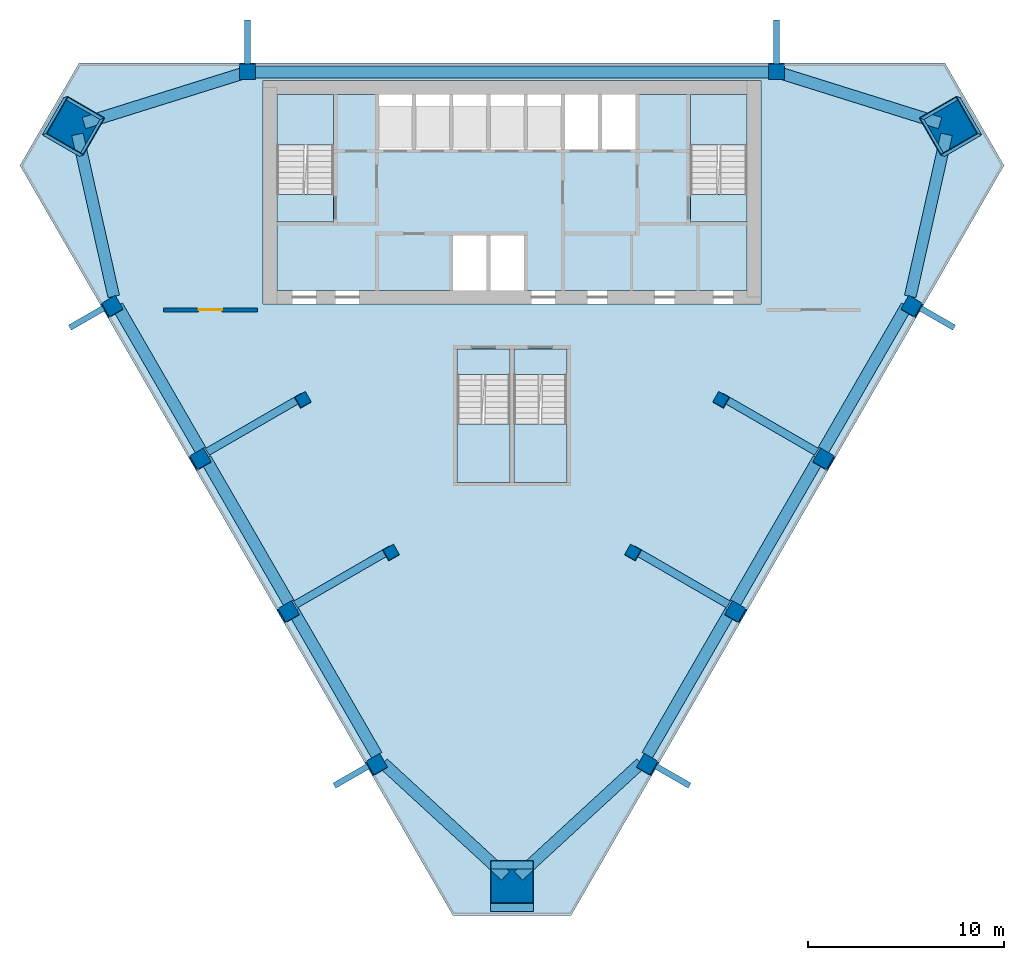
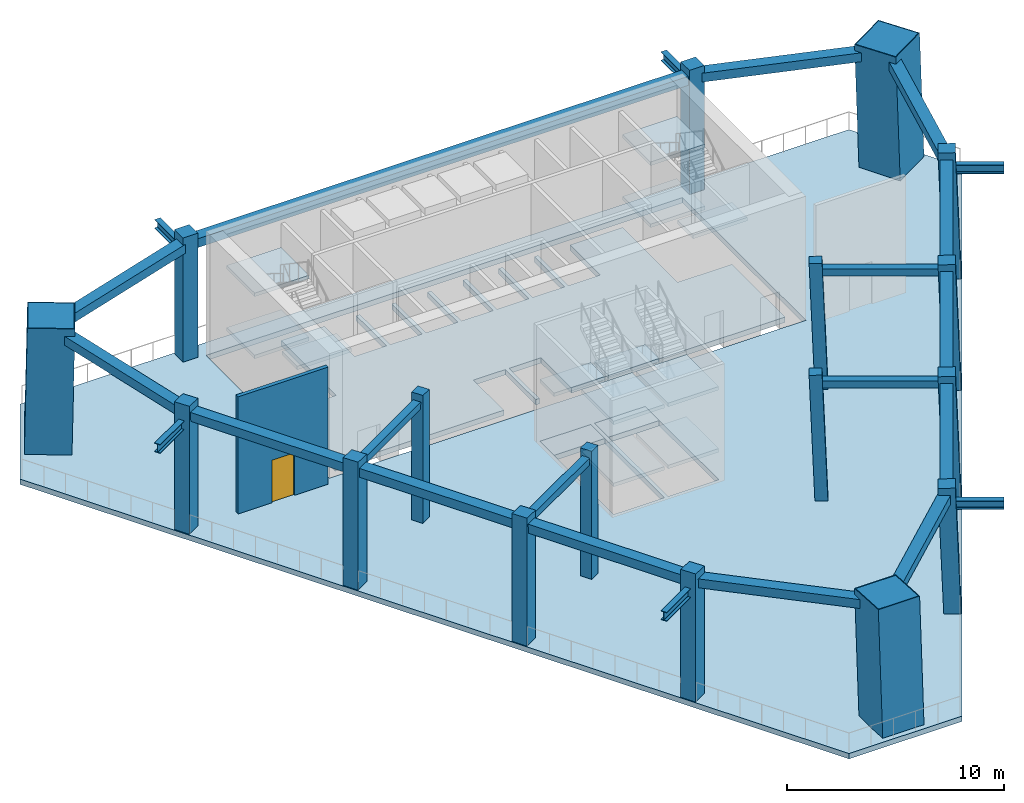
# One storey, part 1 of 6: 17 beams, 17 columns, 16 slabs, 9 members, 1 door, 1 wall, 1 opening, 4 elements without a shape of their own.
"""IFC4 building model written with IfcOpenShell, lengths in metres."""

from ifc_helpers import new_model, si_unit, direction, frame, frame_2d, origin, origin_2d, place, context, subcontext, project, spatial, polyline, rectangle, hollow_rectangle, i_section, outline, extrude, material, layer, layer_set, material_profile, profile_set, type_object, element, fill, aggregate, save


model = new_model("IFC4")

# Units and contexts
model_context = context("Model", 3, precision=1e-05, world=origin(), true_north=direction((0.0, 1.0)))
body_context = subcontext(model_context, "Body", "Model", "MODEL_VIEW")
ifc_project = project(units=[si_unit("LENGTHUNIT", "METRE"), si_unit("AREAUNIT", "SQUARE_METRE"), si_unit("VOLUMEUNIT", "CUBIC_METRE"), si_unit("PLANEANGLEUNIT", "RADIAN"), si_unit("MASSUNIT", "GRAM", prefix="KILO")], contexts=[model_context])

# Site, building, storey
site_placement = place(None, origin())
site = spatial("IfcSite", under=ifc_project, at=site_placement, CompositionType="ELEMENT")
building_placement = place(site_placement, origin())
building = spatial("IfcBuilding", under=site, at=building_placement, Name="Altiplano Prism Tower", CompositionType="ELEMENT")
storey_placement = place(building_placement, frame((0.0, 0.0, 212.39990234375)))
storey = spatial("IfcBuildingStorey", under=building, at=storey_placement, Name="L55", CompositionType="ELEMENT", Elevation=212.39990234375)

# Columns
ifc_material_1 = material(Name="Concrete C60/75", Category="concrete")
ifc_material_profile_1 = material_profile(ifc_material_1, rectangle(XDim=0.60009765625, YDim=0.60009765625, at=origin_2d()), Name="Inner column 600")
ifc_profile_set_1 = profile_set([ifc_material_profile_1], Name="Concrete C60/75")
column_type_1 = type_object("IfcColumnType", Name="Inner column 600", PredefinedType="COLUMN", material=ifc_profile_set_1)
for number, where, z_axis, x_axis, name in (
    (1, (74.311767578125, 87.781494140625, -0.01806640625), (0.022194877165, 0.038466474709, 0.999013372158), (-0.865463272567, -0.499493852598, 0.038460564938), "Inner column I12 L55"),
    (2, (78.811767578125, 79.9873046875, -0.01806640625), (0.022194906899, 0.038431683374, 0.999014710513), (-0.865661149567, -0.499152851676, 0.038434422003), "Inner column I13 L55"),
    (3, (91.188232421875, 79.9873046875, -0.01806640625), (-0.022194906899, 0.038431683374, 0.999014710513), (-0.500138141156, -0.865661271154, 0.022190164138), "Inner column I22 L55"),
    (4, (95.688232421875, 87.781494140625, -0.01806640625), (-0.022194877165, 0.038466474709, 0.999013372158), (-0.500480480405, -0.86546300992, 0.022205116383), "Inner column I23 L55"),
):
    element("IfcColumn", number, at=place(storey_placement, frame(where, z_axis=z_axis, x_axis=x_axis)), inside=storey, type_object=column_type_1, Name=name, PredefinedType="COLUMN", context=body_context, shape_type="SweptSolid", body=[
        extrude(rectangle(XDim=0.60009765625, YDim=0.60009765625, at=origin_2d()), origin(), (0.0, 0.0, 1.0), 7.0068359375),
    ])
ifc_material_2 = material(Name="Concrete C70/85", Category="concrete")
ifc_material_profile_2 = material_profile(ifc_material_2, rectangle(XDim=2.1201171875, YDim=2.1201171875, at=origin_2d()), Name="Mega column infill 2200")
ifc_profile_set_2 = profile_set([ifc_material_profile_2], Name="Concrete C70/85")
column_type_2 = type_object("IfcColumnType", Name="Mega column infill 2200", PredefinedType="COLUMN", material=ifc_profile_set_2)
column_1_placement = place(storey_placement, frame((62.518798828125, 101.736328125, 0.0), z_axis=(0.028377421694, 0.009238349814, 0.99955458822), x_axis=(-0.865560479674, 0.500406954726, 0.019948325455)))
element("IfcColumn", 5, at=column_1_placement, inside=storey, type_object=column_type_2, Name="Mega column M0 L55", PredefinedType="COLUMN", context=body_context, shape_type="SweptSolid", body=[
    extrude(rectangle(XDim=2.1201171875, YDim=2.1201171875, at=origin_2d()), origin(), (0.0, 0.0, 1.0), 7.003173828125),
])
column_2_placement = place(storey_placement, frame((85.0, 62.797607421875, 0.0), z_axis=(0.0, 0.058354630171, 0.998295916619), x_axis=(-1.0, 0.0, 0.0)))
element("IfcColumn", 6, at=column_2_placement, inside=storey, type_object=column_type_2, Name="Mega column M1 L55", PredefinedType="COLUMN", context=body_context, shape_type="SweptSolid", body=[
    extrude(rectangle(XDim=2.1201171875, YDim=2.1201171875, at=origin_2d()), origin(), (0.0, 0.0, 1.0), 7.011962890625),
])
column_3_placement = place(storey_placement, frame((107.481201171875, 101.736328125, 0.0), z_axis=(-0.028377421694, 0.009238349814, 0.99955458822), x_axis=(0.500001062049, -0.865740288513, 0.022196639264)))
element("IfcColumn", 7, at=column_3_placement, inside=storey, type_object=column_type_2, Name="Mega column M2 L55", PredefinedType="COLUMN", context=body_context, shape_type="SweptSolid", body=[
    extrude(rectangle(XDim=2.1201171875, YDim=2.1201171875, at=origin_2d()), origin(), (0.0, 0.0, 1.0), 7.003173828125),
])
ifc_material_profile_3 = material_profile(ifc_material_1, rectangle(XDim=0.800048828125, YDim=0.800048828125, at=origin_2d()), Name="Perimeter column 800")
ifc_profile_set_3 = profile_set([ifc_material_profile_3], Name="Concrete C60/75")
column_type_3 = type_object("IfcColumnType", Name="Perimeter column 800", PredefinedType="COLUMN", material=ifc_profile_set_3)
for number, where, z_axis, x_axis, name in (
    (8, (98.5, 104.550048828125, 0.0), (0.0, 0.0, 1.0), (1.0, 0.0, 0.0), "Perimeter column P01 L55"),
    (9, (71.5, 104.550048828125, 0.0), (0.0, 0.0, 1.0), (1.0, 0.0, 0.0), "Perimeter column P04 L55"),
):
    element("IfcColumn", number, at=place(storey_placement, frame(where, z_axis=z_axis, x_axis=x_axis)), inside=storey, type_object=column_type_3, Name=name, PredefinedType="COLUMN", context=body_context, shape_type="SweptSolid", body=[
        extrude(rectangle(XDim=0.800048828125, YDim=0.800048828125, at=origin_2d()), origin(), (0.0, 0.0, 1.0), 7.0),
    ])
for number, where, z_axis, x_axis, name in (
    (10, (64.572021484375, 92.550537109375, -0.024169921875), (0.022194906899, 0.038431683374, 0.999014710513), (-0.865660564719, -0.499153863955, 0.038434447952), "Perimeter column P11 L55"),
    (11, (69.072021484375, 84.75634765625, -0.024169921875), (0.022194906899, 0.038431683374, 0.999014710513), (-0.865659770372, -0.499155238839, 0.038434483195), "Perimeter column P12 L55"),
    (12, (73.572021484375, 76.962158203125, -0.024169921875), (0.022194906899, 0.038431683374, 0.999014710513), (-0.865661140838, -0.499152866785, 0.03843442239), "Perimeter column P13 L55"),
    (13, (78.072021484375, 69.16796875, -0.024169921875), (0.022194906899, 0.038431683374, 0.999014710513), (-0.865660346492, -0.49915424167, 0.038434457634), "Perimeter column P14 L55"),
    (14, (91.927978515625, 69.16796875, -0.024169921875), (-0.022194906899, 0.038431683374, 0.999014710513), (-0.50013953115, -0.865660469662, 0.022190102424), "Perimeter column P21 L55"),
    (15, (96.427978515625, 76.962158203125, -0.024169921875), (-0.022194906899, 0.038431683374, 0.999014710513), (-0.500138156264, -0.865661262443, 0.022190163467), "Perimeter column P22 L55"),
    (16, (100.927978515625, 84.75634765625, -0.024169921875), (-0.022194906899, 0.038431683374, 0.999014710513), (-0.500140528319, -0.865659894677, 0.02219005815), "Perimeter column P23 L55"),
    (17, (105.427978515625, 92.550537109375, -0.024169921875), (-0.022194906899, 0.038431683374, 0.999014710513), (-0.500139153434, -0.865660687459, 0.022190119194), "Perimeter column P24 L55"),
):
    element("IfcColumn", number, at=place(storey_placement, frame(where, z_axis=z_axis, x_axis=x_axis)), inside=storey, type_object=column_type_3, Name=name, PredefinedType="COLUMN", context=body_context, shape_type="SweptSolid", body=[
        extrude(rectangle(XDim=0.800048828125, YDim=0.800048828125, at=origin_2d()), origin(), (0.0, 0.0, 1.0), 7.0068359375),
    ])

# Members
ifc_material_3 = material(Name="Steel S355", Category="steel")
ifc_material_profile_4 = material_profile(ifc_material_3, i_section(OverallWidth=0.300048828125, OverallDepth=0.5, WebThickness=0.014404296875, FlangeThickness=0.028076171875, FilletRadius=0.027099609375, at=origin_2d()), Name="Brace bracket HEB 500")
ifc_profile_set_4 = profile_set([ifc_material_profile_4], Name="Steel S355")
member_type_1 = type_object("IfcMemberType", Name="Brace bracket HEB 500", PredefinedType="STRUT", material=ifc_profile_set_4)
for number, where, z_axis, x_axis, name in (
    (18, (98.5, 104.550048828125, 5.86279296875), (0.0, 1.0, 0.0), (-1.0, 0.0, 0.0), "Brace bracket 0.219.4"),
    (19, (71.5, 104.550048828125, 5.86279296875), (0.0, 1.0, 0.0), (-1.0, 0.0, 0.0), "Brace bracket 0.219.4"),
):
    element("IfcMember", number, at=place(storey_placement, frame(where, z_axis=z_axis, x_axis=x_axis)), inside=storey, type_object=member_type_1, Name=name, PredefinedType="STRUT", context=body_context, shape_type="SweptSolid", body=[
        extrude(i_section(OverallWidth=0.300048828125, OverallDepth=0.5, WebThickness=0.014404296875, FlangeThickness=0.028076171875, FilletRadius=0.027099609375, at=origin_2d()), origin(), (0.0, 0.0, 1.0), 2.64990234375),
    ])
for number, where, z_axis, x_axis, name in (
    (20, (64.728271484375, 92.82080078125, 5.8671875), (-0.866052124492, -0.499953715521, 0.0), (0.499953715521, -0.866052124492, 0.0), "Brace bracket 1.219.4"),
    (21, (78.228271484375, 69.438232421875, 5.858154296875), (-0.866052124492, -0.499953715521, 0.0), (0.499953715521, -0.866052124492, 0.0), "Brace bracket 1.219.4"),
    (22, (91.771728515625, 69.438232421875, 5.858154296875), (0.866052124492, -0.499953715521, 0.0), (0.499953715521, 0.866052124492, 0.0), "Brace bracket 2.219.4"),
    (23, (105.271728515625, 92.82080078125, 5.8671875), (0.866052124492, -0.499953715521, 0.0), (0.499953715521, 0.866052124492, 0.0), "Brace bracket 2.219.4"),
):
    element("IfcMember", number, at=place(storey_placement, frame(where, z_axis=z_axis, x_axis=x_axis)), inside=storey, type_object=member_type_1, Name=name, PredefinedType="STRUT", context=body_context, shape_type="SweptSolid", body=[
        extrude(i_section(OverallWidth=0.300048828125, OverallDepth=0.5, WebThickness=0.014404296875, FlangeThickness=0.028076171875, FilletRadius=0.027099609375, at=origin_2d()), origin(), (0.0, 0.0, 1.0), 2.650146484375),
    ])

# Beams
ifc_material_profile_5 = material_profile(ifc_material_1, rectangle(XDim=0.60009765625, YDim=0.5, at=origin_2d()), Name="Edge beam 600x500")
ifc_profile_set_5 = profile_set([ifc_material_profile_5], Name="Concrete C60/75")
beam_type_1 = type_object("IfcBeamType", Name="Edge beam 600x500", PredefinedType="SPANDREL", material=ifc_profile_set_5)
for number, where, z_axis, x_axis, name in (
    (24, (105.33154296875, 93.087158203125, 6.35009765625), (0.21846661595, 0.975844422905, 0.0), (-0.975844422905, 0.21846661595, 0.0), "Edge beam P24-M2 L56"),
    (25, (106.85302734375, 101.935546875, 6.35009765625), (-0.954344119638, 0.298709392743, 0.0), (-0.298709392743, -0.954344119638, 0.0), "Edge beam M2-P01 L56"),
):
    element("IfcBeam", number, at=place(storey_placement, frame(where, z_axis=z_axis, x_axis=x_axis)), inside=storey, type_object=beam_type_1, Name=name, PredefinedType="SPANDREL", context=body_context, shape_type="SweptSolid", body=[
        extrude(rectangle(XDim=0.60009765625, YDim=0.5, at=origin_2d()), origin(), (0.0, 0.0, 1.0), 8.479736328125),
    ])
beam_1_placement = place(storey_placement, frame((98.2451171875, 104.550048828125, 6.35009765625), z_axis=(-1.0, 0.0, 0.0), x_axis=(0.0, -1.0, 0.0)))
element("IfcBeam", 26, at=beam_1_placement, inside=storey, type_object=beam_type_1, Name="Edge beam P01-P04 L56", PredefinedType="SPANDREL", context=body_context, shape_type="SweptSolid", body=[
    extrude(rectangle(XDim=0.60009765625, YDim=0.5, at=origin_2d()), origin(), (0.0, 0.0, 1.0), 26.490234375),
])
for number, where, z_axis, x_axis, name in (
    (27, (71.239501953125, 104.468505859375, 6.35009765625), (-0.954344119638, -0.298709392743, 0.0), (0.298709392743, -0.954344119638, 0.0), "Edge beam P04-M0 L56"),
    (28, (62.81591796875, 101.362060546875, 6.35009765625), (0.21846661595, -0.975844422905, 0.0), (0.975844422905, 0.21846661595, 0.0), "Edge beam M0-P11 L56"),
):
    element("IfcBeam", number, at=place(storey_placement, frame(where, z_axis=z_axis, x_axis=x_axis)), inside=storey, type_object=beam_type_1, Name=name, PredefinedType="SPANDREL", context=body_context, shape_type="SweptSolid", body=[
        extrude(rectangle(XDim=0.60009765625, YDim=0.5, at=origin_2d()), origin(), (0.0, 0.0, 1.0), 8.479736328125),
    ])
beam_2_placement = place(storey_placement, frame((64.855712890625, 92.60009765625, 6.35009765625), z_axis=(0.49998963237, -0.866031389456, 0.0), x_axis=(0.866031389456, 0.49998963237, 0.0)))
element("IfcBeam", 29, at=beam_2_placement, inside=storey, type_object=beam_type_1, Name="Edge beam P11-P12 L56", PredefinedType="SPANDREL", context=body_context, shape_type="SweptSolid", body=[
    extrude(rectangle(XDim=0.60009765625, YDim=0.5, at=origin_2d()), origin(), (0.0, 0.0, 1.0), 8.489990234375),
])
beam_3_placement = place(storey_placement, frame((69.355712890625, 84.805908203125, 6.35009765625), z_axis=(0.499977180862, -0.866038578019, 0.0), x_axis=(0.866038578019, 0.499977180862, 0.0)))
element("IfcBeam", 30, at=beam_3_placement, inside=storey, type_object=beam_type_1, Name="Edge beam P12-P13 L56", PredefinedType="SPANDREL", context=body_context, shape_type="SweptSolid", body=[
    extrude(rectangle(XDim=0.60009765625, YDim=0.5, at=origin_2d()), origin(), (0.0, 0.0, 1.0), 8.490234375),
])
beam_4_placement = place(storey_placement, frame((73.855712890625, 77.011474609375, 6.35009765625), z_axis=(0.49998963237, -0.866031389456, 0.0), x_axis=(0.866031389456, 0.49998963237, 0.0)))
element("IfcBeam", 31, at=beam_4_placement, inside=storey, type_object=beam_type_1, Name="Edge beam P13-P14 L56", PredefinedType="SPANDREL", context=body_context, shape_type="SweptSolid", body=[
    extrude(rectangle(XDim=0.60009765625, YDim=0.5, at=origin_2d()), origin(), (0.0, 0.0, 1.0), 8.489990234375),
])
for number, where, z_axis, x_axis, name in (
    (32, (78.428955078125, 69.25341796875, 6.35009765625), (0.735863297379, -0.677130126025, 0.0), (0.677130126025, 0.735863297379, 0.0), "Edge beam P14-M1 L56"),
    (33, (85.3310546875, 63.511474609375, 6.35009765625), (0.735863297379, 0.677130126025, 0.0), (-0.677130126025, 0.735863297379, 0.0), "Edge beam M1-P21 L56"),
):
    element("IfcBeam", number, at=place(storey_placement, frame(where, z_axis=z_axis, x_axis=x_axis)), inside=storey, type_object=beam_type_1, Name=name, PredefinedType="SPANDREL", context=body_context, shape_type="SweptSolid", body=[
        extrude(rectangle(XDim=0.60009765625, YDim=0.5, at=origin_2d()), origin(), (0.0, 0.0, 1.0), 8.479736328125),
    ])
beam_5_placement = place(storey_placement, frame((91.8994140625, 69.658935546875, 6.35009765625), z_axis=(0.49998963237, 0.866031389456, 0.0), x_axis=(-0.866031389456, 0.49998963237, 0.0)))
element("IfcBeam", 34, at=beam_5_placement, inside=storey, type_object=beam_type_1, Name="Edge beam P21-P22 L56", PredefinedType="SPANDREL", context=body_context, shape_type="SweptSolid", body=[
    extrude(rectangle(XDim=0.60009765625, YDim=0.5, at=origin_2d()), origin(), (0.0, 0.0, 1.0), 8.489990234375),
])
beam_6_placement = place(storey_placement, frame((96.3994140625, 77.453125, 6.35009765625), z_axis=(0.499977180862, 0.866038578019, 0.0), x_axis=(-0.866038578019, 0.499977180862, 0.0)))
element("IfcBeam", 35, at=beam_6_placement, inside=storey, type_object=beam_type_1, Name="Edge beam P22-P23 L56", PredefinedType="SPANDREL", context=body_context, shape_type="SweptSolid", body=[
    extrude(rectangle(XDim=0.60009765625, YDim=0.5, at=origin_2d()), origin(), (0.0, 0.0, 1.0), 8.490234375),
])
beam_7_placement = place(storey_placement, frame((100.8994140625, 85.24755859375, 6.35009765625), z_axis=(0.49998963237, 0.866031389456, 0.0), x_axis=(-0.866031389456, 0.49998963237, 0.0)))
element("IfcBeam", 36, at=beam_7_placement, inside=storey, type_object=beam_type_1, Name="Edge beam P23-P24 L56", PredefinedType="SPANDREL", context=body_context, shape_type="SweptSolid", body=[
    extrude(rectangle(XDim=0.60009765625, YDim=0.5, at=origin_2d()), origin(), (0.0, 0.0, 1.0), 8.489990234375),
])

# Members
ifc_material_4 = material(Name="Steel S460", Category="steel")
ifc_material_profile_6 = material_profile(ifc_material_4, hollow_rectangle(XDim=2.199951171875, YDim=2.199951171875, WallThickness=0.0400390625, at=origin_2d()), Name="Mega column tube 2200")
ifc_profile_set_6 = profile_set([ifc_material_profile_6], Name="Steel S460")
member_type_2 = type_object("IfcMemberType", Name="Mega column tube 2200", PredefinedType="POST", material=ifc_profile_set_6)
member_1_placement = place(storey_placement, frame((62.518798828125, 101.736328125, 0.0), z_axis=(0.028377421694, 0.009238349814, 0.99955458822), x_axis=(-0.865560479674, 0.500406954726, 0.019948325455)))
element("IfcMember", 37, at=member_1_placement, inside=storey, type_object=member_type_2, Name="Mega column tube M0 L55", PredefinedType="POST", context=body_context, shape_type="SweptSolid", body=[
    extrude(hollow_rectangle(XDim=2.199951171875, YDim=2.199951171875, WallThickness=0.0400390625, at=origin_2d()), origin(), (0.0, 0.0, 1.0), 7.003173828125),
])
member_2_placement = place(storey_placement, frame((85.0, 62.797607421875, 0.0), z_axis=(0.0, 0.058354630171, 0.998295916619), x_axis=(-1.0, 0.0, 0.0)))
element("IfcMember", 38, at=member_2_placement, inside=storey, type_object=member_type_2, Name="Mega column tube M1 L55", PredefinedType="POST", context=body_context, shape_type="SweptSolid", body=[
    extrude(hollow_rectangle(XDim=2.199951171875, YDim=2.199951171875, WallThickness=0.0400390625, at=origin_2d()), origin(), (0.0, 0.0, 1.0), 7.011962890625),
])
member_3_placement = place(storey_placement, frame((107.481201171875, 101.736328125, 0.0), z_axis=(-0.028377421694, 0.009238349814, 0.99955458822), x_axis=(0.500001062049, -0.865740288513, 0.022196639264)))
element("IfcMember", 39, at=member_3_placement, inside=storey, type_object=member_type_2, Name="Mega column tube M2 L55", PredefinedType="POST", context=body_context, shape_type="SweptSolid", body=[
    extrude(hollow_rectangle(XDim=2.199951171875, YDim=2.199951171875, WallThickness=0.0400390625, at=origin_2d()), origin(), (0.0, 0.0, 1.0), 7.003173828125),
])

# Beams
ifc_material_profile_7 = material_profile(ifc_material_1, rectangle(XDim=0.39990234375, YDim=0.39990234375, at=origin_2d()), Name="Tie beam 400x400")
ifc_profile_set_7 = profile_set([ifc_material_profile_7], Name="Concrete C60/75")
beam_type_2 = type_object("IfcBeamType", Name="Tie beam 400x400", PredefinedType="BEAM", material=ifc_profile_set_7)
for number, where, z_axis, x_axis, name in (
    (40, (74.33349609375, 87.97412109375, 6.400146484375), (-0.866026281646, -0.499998479497, 0.0), (0.499998479497, -0.866026281646, 0.0), "Tie beam I12 L56"),
    (41, (78.83349609375, 80.179931640625, 6.400146484375), (-0.866026281646, -0.499998479497, 0.0), (0.499998479497, -0.866026281646, 0.0), "Tie beam I13 L56"),
    (42, (91.16650390625, 80.179931640625, 6.400146484375), (0.866026281646, -0.499998479497, 0.0), (0.499998479497, 0.866026281646, 0.0), "Tie beam I22 L56"),
    (43, (95.66650390625, 87.97412109375, 6.400146484375), (0.866026281646, -0.499998479497, 0.0), (0.499998479497, 0.866026281646, 0.0), "Tie beam I23 L56"),
):
    element("IfcBeam", number, at=place(storey_placement, frame(where, z_axis=z_axis, x_axis=x_axis)), inside=storey, type_object=beam_type_2, Name=name, PredefinedType="BEAM", context=body_context, shape_type="SweptSolid", body=[
        extrude(rectangle(XDim=0.39990234375, YDim=0.39990234375, at=origin_2d()), origin(), (0.0, 0.0, 1.0), 5.64013671875),
    ])

# Slabs
ifc_material_5 = material(Name="Concrete C40/50", Category="concrete")
ifc_layer_1 = layer(ifc_material_5, 0.300048828125)
ifc_layer_set_1 = layer_set([ifc_layer_1], Name="Concrete C40/50")
slab_type_1 = type_object("IfcSlabType", Name="Core floor slab 300", PredefinedType="FLOOR", material=ifc_layer_set_1)
slab_1_placement = place(storey_placement, frame((0.0, 0.0, -0.2998046875)))
element("IfcSlab", 44, at=slab_1_placement, inside=storey, type_object=slab_type_1, Name="Core floor slab L55", PredefinedType="FLOOR", context=body_context, shape_type="SweptSolid", body=[
    extrude(outline(polyline([(97.0, 98.31005859375), (94.10009765625, 98.31005859375), (94.10009765625, 103.39990234375), (91.300048828125, 103.39990234375), (91.300048828125, 100.60009765625), (89.60009765625, 100.60009765625), (89.60009765625, 103.39990234375), (89.39990234375, 103.39990234375), (89.39990234375, 100.60009765625), (87.699951171875, 100.60009765625), (87.699951171875, 103.39990234375), (87.5, 103.39990234375), (87.5, 100.60009765625), (85.800048828125, 100.60009765625), (85.800048828125, 103.39990234375), (85.60009765625, 103.39990234375), (85.60009765625, 100.60009765625), (83.89990234375, 100.60009765625), (83.89990234375, 103.39990234375), (83.699951171875, 103.39990234375), (83.699951171875, 100.60009765625), (82.0, 100.60009765625), (82.0, 103.39990234375), (81.800048828125, 103.39990234375), (81.800048828125, 100.60009765625), (80.10009765625, 100.60009765625), (80.10009765625, 103.39990234375), (79.89990234375, 103.39990234375), (79.89990234375, 100.60009765625), (78.199951171875, 100.60009765625), (78.199951171875, 103.39990234375), (75.89990234375, 103.39990234375), (75.89990234375, 98.31005859375), (73.0, 98.31005859375), (73.0, 93.39990234375), (82.0, 93.39990234375), (82.0, 96.199951171875), (83.699951171875, 96.199951171875), (83.699951171875, 93.39990234375), (83.89990234375, 93.39990234375), (83.89990234375, 96.199951171875), (85.60009765625, 96.199951171875), (85.60009765625, 93.39990234375), (97.0, 93.39990234375), (97.0, 98.31005859375)])), origin(), (0.0, 0.0, 1.0), 0.2998046875),
])
slab_2_placement = place(storey_placement, frame((0.0, 0.0, -0.2998046875)))
element("IfcSlab", 45, at=slab_2_placement, inside=storey, type_object=slab_type_1, Name="Stair 3A landing slab L55", PredefinedType="FLOOR", context=body_context, shape_type="SweptSolid", body=[
    extrude(outline(polyline([(82.199951171875, 89.096923828125), (84.89990234375, 89.096923828125), (84.89990234375, 90.39990234375), (82.199951171875, 90.39990234375), (82.199951171875, 89.096923828125)])), origin(), (0.0, 0.0, 1.0), 0.2998046875),
])
slab_3_placement = place(storey_placement, frame((0.0, 0.0, -0.2998046875)))
element("IfcSlab", 46, at=slab_3_placement, inside=storey, type_object=slab_type_1, Name="Stair 3B landing slab L55", PredefinedType="FLOOR", context=body_context, shape_type="SweptSolid", body=[
    extrude(outline(polyline([(85.10009765625, 89.096923828125), (87.800048828125, 89.096923828125), (87.800048828125, 90.39990234375), (85.10009765625, 90.39990234375), (85.10009765625, 89.096923828125)])), origin(), (0.0, 0.0, 1.0), 0.2998046875),
])
ifc_layer_2 = layer(ifc_material_5, 0.300048828125)
ifc_layer_set_2 = layer_set([ifc_layer_2], Name="Concrete C40/50")
slab_type_2 = type_object("IfcSlabType", Name="Post-tensioned flat slab 300", PredefinedType="FLOOR", material=ifc_layer_set_2)
slab_4_placement = place(storey_placement, frame((0.0, 0.0, -0.2998046875)))
element("IfcSlab", 47, at=slab_4_placement, inside=storey, type_object=slab_type_2, Name="Floor slab L55", PredefinedType="FLOOR", context=body_context, shape_type="SweptSolid", body=[
    extrude(outline(polyline([(81.98193359375, 61.49755859375), (59.8837890625, 99.772705078125), (62.90185546875, 105.0), (107.09814453125, 105.0), (110.1162109375, 99.772705078125), (88.01806640625, 61.49755859375), (81.98193359375, 61.49755859375)]), holes=[polyline([(72.300048828125, 104.10009765625), (72.300048828125, 92.699951171875), (97.699951171875, 92.699951171875), (97.699951171875, 104.10009765625), (72.300048828125, 104.10009765625)]), polyline([(84.89990234375, 90.39990234375), (82.199951171875, 90.39990234375), (82.199951171875, 83.60009765625), (84.89990234375, 83.60009765625), (84.89990234375, 90.39990234375)]), polyline([(87.800048828125, 83.60009765625), (87.800048828125, 90.39990234375), (85.10009765625, 90.39990234375), (85.10009765625, 83.60009765625), (87.800048828125, 83.60009765625)])]), origin(), (0.0, 0.0, 1.0), 0.2998046875),
])

# Stair, slabs
stair_type_1 = type_object("IfcStairType", Name="Exit stair 1400", PredefinedType="HALF_TURN_STAIR", material=ifc_material_5)
stair_1_placement = place(storey_placement, origin())
stair_1 = element("IfcStair", 48, at=stair_1_placement, inside=storey, type_object=stair_type_1, Name="L55 Exit Stair 1", PredefinedType="HALF_TURN_STAIR")
ifc_layer_3 = layer(ifc_material_5, 0.199951171875)
ifc_layer_set_3 = layer_set([ifc_layer_3], Name="Concrete C40/50")
slab_type_3 = type_object("IfcSlabType", Name="Stair landing 200", PredefinedType="LANDING", material=ifc_layer_set_3)
slab_5_placement = place(storey_placement, frame((0.0, 0.0, 1.550048828125)))
slab_5 = element("IfcSlab", 49, at=slab_5_placement, type_object=slab_type_3, Name="ST1 landing 1", PredefinedType="LANDING", context=body_context, shape_type="SweptSolid", body=[
    extrude(outline(polyline([(75.89990234375, 100.81689453125), (75.89990234375, 103.39990234375), (73.0, 103.39990234375), (73.0, 100.81689453125), (75.89990234375, 100.81689453125)])), origin(), (0.0, 0.0, 1.0), 0.199951171875),
])
slab_6_placement = place(storey_placement, frame((0.0, 0.0, 3.300048828125)))
slab_6 = element("IfcSlab", 50, at=slab_6_placement, type_object=slab_type_3, Name="ST1 landing 2", PredefinedType="LANDING", context=body_context, shape_type="SweptSolid", body=[
    extrude(outline(polyline([(75.89990234375, 96.89990234375), (75.89990234375, 98.302978515625), (73.0, 98.302978515625), (73.0, 96.89990234375), (75.89990234375, 96.89990234375)])), origin(), (0.0, 0.0, 1.0), 0.199951171875),
])
slab_7_placement = place(storey_placement, frame((0.0, 0.0, 5.050048828125)))
slab_7 = element("IfcSlab", 51, at=slab_7_placement, type_object=slab_type_3, Name="ST1 landing 3", PredefinedType="LANDING", context=body_context, shape_type="SweptSolid", body=[
    extrude(outline(polyline([(75.89990234375, 100.81689453125), (75.89990234375, 103.39990234375), (73.0, 103.39990234375), (73.0, 100.81689453125), (75.89990234375, 100.81689453125)])), origin(), (0.0, 0.0, 1.0), 0.199951171875),
])
aggregate(stair_1, [slab_5, slab_6, slab_7])

stair_2_placement = place(storey_placement, origin())
stair_2 = element("IfcStair", 52, at=stair_2_placement, inside=storey, type_object=stair_type_1, Name="L55 Exit Stair 2", PredefinedType="HALF_TURN_STAIR")
slab_8_placement = place(storey_placement, frame((0.0, 0.0, 1.550048828125)))
slab_8 = element("IfcSlab", 53, at=slab_8_placement, type_object=slab_type_3, Name="ST2 landing 1", PredefinedType="LANDING", context=body_context, shape_type="SweptSolid", body=[
    extrude(outline(polyline([(97.0, 100.81689453125), (97.0, 103.39990234375), (94.10009765625, 103.39990234375), (94.10009765625, 100.81689453125), (97.0, 100.81689453125)])), origin(), (0.0, 0.0, 1.0), 0.199951171875),
])
slab_9_placement = place(storey_placement, frame((0.0, 0.0, 3.300048828125)))
slab_9 = element("IfcSlab", 54, at=slab_9_placement, type_object=slab_type_3, Name="ST2 landing 2", PredefinedType="LANDING", context=body_context, shape_type="SweptSolid", body=[
    extrude(outline(polyline([(97.0, 96.89990234375), (97.0, 98.302978515625), (94.10009765625, 98.302978515625), (94.10009765625, 96.89990234375), (97.0, 96.89990234375)])), origin(), (0.0, 0.0, 1.0), 0.199951171875),
])
slab_10_placement = place(storey_placement, frame((0.0, 0.0, 5.050048828125)))
slab_10 = element("IfcSlab", 55, at=slab_10_placement, type_object=slab_type_3, Name="ST2 landing 3", PredefinedType="LANDING", context=body_context, shape_type="SweptSolid", body=[
    extrude(outline(polyline([(97.0, 100.81689453125), (97.0, 103.39990234375), (94.10009765625, 103.39990234375), (94.10009765625, 100.81689453125), (97.0, 100.81689453125)])), origin(), (0.0, 0.0, 1.0), 0.199951171875),
])
aggregate(stair_2, [slab_8, slab_9, slab_10])

stair_type_2 = type_object("IfcStairType", Name="Exit stair 1300", PredefinedType="HALF_TURN_STAIR", material=ifc_material_5)
stair_3_placement = place(storey_placement, origin())
stair_3 = element("IfcStair", 56, at=stair_3_placement, inside=storey, type_object=stair_type_2, Name="L55 Exit Stair 3A", PredefinedType="HALF_TURN_STAIR")
slab_11_placement = place(storey_placement, frame((0.0, 0.0, 1.550048828125)))
slab_11 = element("IfcSlab", 57, at=slab_11_placement, type_object=slab_type_3, Name="ST3A landing 1", PredefinedType="LANDING", context=body_context, shape_type="SweptSolid", body=[
    extrude(outline(polyline([(82.199951171875, 86.5830078125), (82.199951171875, 83.60009765625), (84.89990234375, 83.60009765625), (84.89990234375, 86.5830078125), (82.199951171875, 86.5830078125)])), origin(), (0.0, 0.0, 1.0), 0.199951171875),
])
slab_12_placement = place(storey_placement, frame((0.0, 0.0, 3.300048828125)))
slab_12 = element("IfcSlab", 58, at=slab_12_placement, type_object=slab_type_3, Name="ST3A landing 2", PredefinedType="LANDING", context=body_context, shape_type="SweptSolid", body=[
    extrude(outline(polyline([(82.199951171875, 90.39990234375), (82.199951171875, 89.096923828125), (84.89990234375, 89.096923828125), (84.89990234375, 90.39990234375), (82.199951171875, 90.39990234375)])), origin(), (0.0, 0.0, 1.0), 0.199951171875),
])
slab_13_placement = place(storey_placement, frame((0.0, 0.0, 5.050048828125)))
slab_13 = element("IfcSlab", 59, at=slab_13_placement, type_object=slab_type_3, Name="ST3A landing 3", PredefinedType="LANDING", context=body_context, shape_type="SweptSolid", body=[
    extrude(outline(polyline([(82.199951171875, 86.5830078125), (82.199951171875, 83.60009765625), (84.89990234375, 83.60009765625), (84.89990234375, 86.5830078125), (82.199951171875, 86.5830078125)])), origin(), (0.0, 0.0, 1.0), 0.199951171875),
])
aggregate(stair_3, [slab_11, slab_12, slab_13])

stair_4_placement = place(storey_placement, origin())
stair_4 = element("IfcStair", 60, at=stair_4_placement, inside=storey, type_object=stair_type_2, Name="L55 Exit Stair 3B", PredefinedType="HALF_TURN_STAIR")
slab_14_placement = place(storey_placement, frame((0.0, 0.0, 1.550048828125)))
slab_14 = element("IfcSlab", 61, at=slab_14_placement, type_object=slab_type_3, Name="ST3B landing 1", PredefinedType="LANDING", context=body_context, shape_type="SweptSolid", body=[
    extrude(outline(polyline([(85.10009765625, 86.5830078125), (85.10009765625, 83.60009765625), (87.800048828125, 83.60009765625), (87.800048828125, 86.5830078125), (85.10009765625, 86.5830078125)])), origin(), (0.0, 0.0, 1.0), 0.199951171875),
])
slab_15_placement = place(storey_placement, frame((0.0, 0.0, 3.300048828125)))
slab_15 = element("IfcSlab", 62, at=slab_15_placement, type_object=slab_type_3, Name="ST3B landing 2", PredefinedType="LANDING", context=body_context, shape_type="SweptSolid", body=[
    extrude(outline(polyline([(85.10009765625, 90.39990234375), (85.10009765625, 89.096923828125), (87.800048828125, 89.096923828125), (87.800048828125, 90.39990234375), (85.10009765625, 90.39990234375)])), origin(), (0.0, 0.0, 1.0), 0.199951171875),
])
slab_16_placement = place(storey_placement, frame((0.0, 0.0, 5.050048828125)))
slab_16 = element("IfcSlab", 63, at=slab_16_placement, type_object=slab_type_3, Name="ST3B landing 3", PredefinedType="LANDING", context=body_context, shape_type="SweptSolid", body=[
    extrude(outline(polyline([(85.10009765625, 86.5830078125), (85.10009765625, 83.60009765625), (87.800048828125, 83.60009765625), (87.800048828125, 86.5830078125), (85.10009765625, 86.5830078125)])), origin(), (0.0, 0.0, 1.0), 0.199951171875),
])
aggregate(stair_4, [slab_14, slab_15, slab_16])

# Wall, opening, door
ifc_material_6 = material(Name="Plasterboard on steel stud", Category="steel")
ifc_layer_4 = layer(ifc_material_6, 0.199951171875)
ifc_layer_set_4 = layer_set([ifc_layer_4], Name="Plasterboard on steel stud")
wall_type = type_object("IfcWallType", Name="Partition 200 plant", PredefinedType="PARTITIONING", material=ifc_layer_set_4)
wall_placement = place(storey_placement, frame((72.0, 92.39990234375, 0.0), z_axis=(0.0, 0.0, 1.0), x_axis=(-1.0, 0.0, 0.0)))
wall = element("IfcWall", 64, at=wall_placement, inside=storey, type_object=wall_type, Name="Partition P04 L55 001", PredefinedType="PARTITIONING", context=body_context, shape_type="SweptSolid", body=[
    extrude(rectangle(XDim=4.800048828125, YDim=0.199951171875, at=frame_2d((2.39990234375, 0.0))), origin(), (0.0, 0.0, 1.0), 6.60009765625),
])
opening_placement = place(wall_placement, frame((1.800048828125, 0.0, 0.0)))
opening = element("IfcOpeningElement", 65, at=opening_placement, cuts=wall, Name="Opening D1869", PredefinedType="OPENING", context=body_context, shape_type="SweptSolid", body=[
    extrude(rectangle(XDim=1.199951171875, YDim=2.39990234375, at=frame_2d((0.60009765625, 1.199951171875))), frame((0.0, 0.1103515625, 0.0), z_axis=(0.0, -1.0, 0.0), x_axis=(1.0, 0.0, 0.0)), (0.0, 0.0, 1.0), 0.220947265625),
])
ifc_material_7 = material(Name="Painted steel door leaf", Category="steel")
door_type = type_object("IfcDoorType", Name="Plant room door 1200 x 2400", OperationType="NOTDEFINED", PredefinedType="NOTDEFINED", material=ifc_material_7)
door_placement = place(opening_placement, origin())
door = element("IfcDoor", 66, at=door_placement, inside=storey, type_object=door_type, Name="Door D1869", OperationType="SINGLE_SWING_LEFT", OverallHeight=2.39990234375, OverallWidth=1.199951171875, PredefinedType="NOTDEFINED", context=body_context, shape_type="SweptSolid", body=[
    extrude(rectangle(XDim=1.199951171875, YDim=2.39990234375, at=frame_2d((0.60009765625, 1.199951171875))), frame((0.0, 0.02490234375, 0.0), z_axis=(0.0, -1.0, 0.0), x_axis=(1.0, 0.0, 0.0)), (0.0, 0.0, 1.0), 0.050048828125),
])
fill(opening, door)

save(model, "model.ifc")
